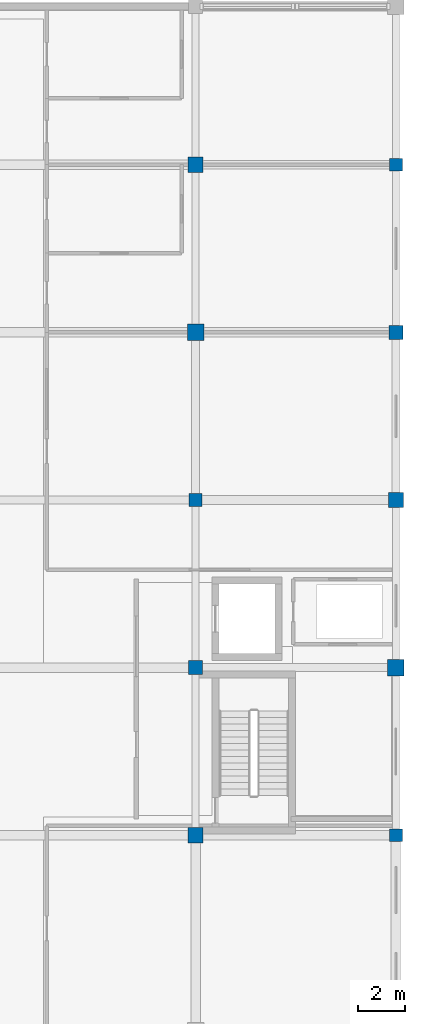
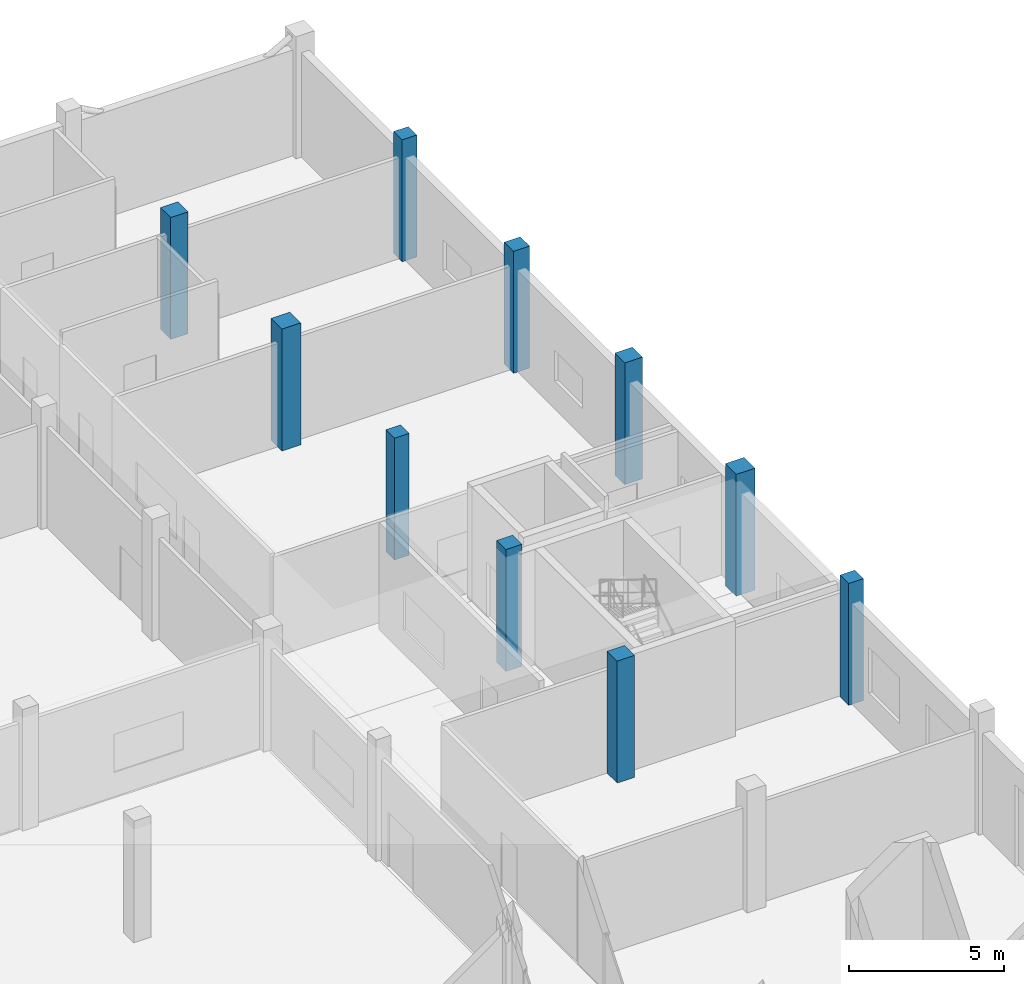
# One storey, part 22 of 91: 10 columns.
"""IFC4 building model written with IfcOpenShell, lengths in metres."""

from ifc_helpers import new_model, si_unit, direction, frame, origin, origin_2d, place, context, subcontext, project, spatial, rectangle, extrude, material, material_profile, profile_set, type_object, element, save


model = new_model("IFC4")

# Units and contexts
model_context = context("Model", 3, precision=1e-05, world=origin(), true_north=direction((0.0, 1.0)))
body_context = subcontext(model_context, "Body", "Model", "MODEL_VIEW")
ifc_project = project(units=[si_unit("LENGTHUNIT", "METRE"), si_unit("AREAUNIT", "SQUARE_METRE"), si_unit("VOLUMEUNIT", "CUBIC_METRE"), si_unit("PLANEANGLEUNIT", "RADIAN"), si_unit("MASSUNIT", "GRAM", prefix="KILO")], contexts=[model_context])

# Site, building, storey
site_placement = place(None, origin())
site = spatial("IfcSite", under=ifc_project, at=site_placement, CompositionType="ELEMENT")
building_placement = place(site_placement, origin())
building = spatial("IfcBuilding", under=site, at=building_placement, Name="Vinh Khe Railworks Police Headquarters", CompositionType="ELEMENT")
storey_placement = place(building_placement, origin())
storey = spatial("IfcBuildingStorey", under=building, at=storey_placement, Name="L00", CompositionType="ELEMENT", Elevation=0.0)

# Columns
ifc_material = material(Name="Concrete C40/50 (B40)", Category="concrete")
ifc_material_profile_1 = material_profile(ifc_material, rectangle(XDim=0.550048828125, YDim=0.550048828125, at=origin_2d()), Name="RC 550x550")
ifc_profile_set_1 = profile_set([ifc_material_profile_1], Name="Concrete C40/50 (B40)")
column_type_1 = type_object("IfcColumnType", Name="RC Column RC 550x550", PredefinedType="COLUMN", material=ifc_profile_set_1)
for number, where, z_axis, x_axis, name in (
    (1, (105.0, 145.199951171875, 0.0), (0.0, 0.0, 1.0), (1.0, 0.0, 0.0), "Column COL-L00-CC-06-1368"),
    (2, (113.60009765625, 130.800048828125, 0.0), (0.0, 0.0, 1.0), (1.0, 0.0, 0.0), "Column COL-L00-CC-06-1415"),
    (3, (113.60009765625, 159.60009765625, 0.0), (0.0, 0.0, 1.0), (1.0, 0.0, 0.0), "Column COL-L00-CC-06-1443"),
):
    element("IfcColumn", number, at=place(storey_placement, frame(where, z_axis=z_axis, x_axis=x_axis)), inside=storey, type_object=column_type_1, Name=name, PredefinedType="COLUMN", context=body_context, shape_type="SweptSolid", body=[
        extrude(rectangle(XDim=0.550048828125, YDim=0.550048828125, at=origin_2d()), origin(), (0.0, 0.0, 1.0), 4.800048828125),
    ])
ifc_material_profile_2 = material_profile(ifc_material, rectangle(XDim=0.60009765625, YDim=0.60009765625, at=origin_2d()), Name="RC 600x600")
ifc_profile_set_2 = profile_set([ifc_material_profile_2], Name="Concrete C40/50 (B40)")
column_type_2 = type_object("IfcColumnType", Name="RC Column RC 600x600", PredefinedType="COLUMN", material=ifc_profile_set_2)
for number, where, z_axis, x_axis, name in (
    (4, (105.0, 138.0, 0.0), (0.0, 0.0, 1.0), (1.0, 0.0, 0.0), "Column COL-L00-CC-05-1361"),
    (5, (113.60009765625, 152.39990234375, 0.0), (0.0, 0.0, 1.0), (1.0, 0.0, 0.0), "Column COL-L00-CC-05-1436"),
):
    element("IfcColumn", number, at=place(storey_placement, frame(where, z_axis=z_axis, x_axis=x_axis)), inside=storey, type_object=column_type_2, Name=name, PredefinedType="COLUMN", context=body_context, shape_type="SweptSolid", body=[
        extrude(rectangle(XDim=0.60009765625, YDim=0.60009765625, at=origin_2d()), origin(), (0.0, 0.0, 1.0), 4.800048828125),
    ])
ifc_material_profile_3 = material_profile(ifc_material, rectangle(XDim=0.64990234375, YDim=0.64990234375, at=origin_2d()), Name="RC 650x650")
ifc_profile_set_3 = profile_set([ifc_material_profile_3], Name="Concrete C40/50 (B40)")
column_type_3 = type_object("IfcColumnType", Name="RC Column RC 650x650", PredefinedType="COLUMN", material=ifc_profile_set_3)
for number, where, z_axis, x_axis, name in (
    (6, (105.0, 130.800048828125, 0.0), (0.0, 0.0, 1.0), (1.0, 0.0, 0.0), "Column COL-L00-CC-04-1354"),
    (7, (105.0, 159.60009765625, 0.0), (0.0, 0.0, 1.0), (1.0, 0.0, 0.0), "Column COL-L00-CC-04-1382"),
    (8, (113.60009765625, 145.199951171875, 0.0), (0.0, 0.0, 1.0), (1.0, 0.0, 0.0), "Column COL-L00-CC-04-1429"),
):
    element("IfcColumn", number, at=place(storey_placement, frame(where, z_axis=z_axis, x_axis=x_axis)), inside=storey, type_object=column_type_3, Name=name, PredefinedType="COLUMN", context=body_context, shape_type="SweptSolid", body=[
        extrude(rectangle(XDim=0.64990234375, YDim=0.64990234375, at=origin_2d()), origin(), (0.0, 0.0, 1.0), 4.800048828125),
    ])
ifc_material_profile_4 = material_profile(ifc_material, rectangle(XDim=0.699951171875, YDim=0.699951171875, at=origin_2d()), Name="RC 700x700")
ifc_profile_set_4 = profile_set([ifc_material_profile_4], Name="Concrete C40/50 (B40)")
column_type_4 = type_object("IfcColumnType", Name="RC Column RC 700x700", PredefinedType="COLUMN", material=ifc_profile_set_4)
for number, where, z_axis, x_axis, name in (
    (9, (105.0, 152.39990234375, 0.0), (0.0, 0.0, 1.0), (1.0, 0.0, 0.0), "Column COL-L00-CC-03-1375"),
    (10, (113.60009765625, 138.0, 0.0), (0.0, 0.0, 1.0), (1.0, 0.0, 0.0), "Column COL-L00-CC-03-1422"),
):
    element("IfcColumn", number, at=place(storey_placement, frame(where, z_axis=z_axis, x_axis=x_axis)), inside=storey, type_object=column_type_4, Name=name, PredefinedType="COLUMN", context=body_context, shape_type="SweptSolid", body=[
        extrude(rectangle(XDim=0.699951171875, YDim=0.699951171875, at=origin_2d()), origin(), (0.0, 0.0, 1.0), 4.800048828125),
    ])

save(model, "model.ifc")
